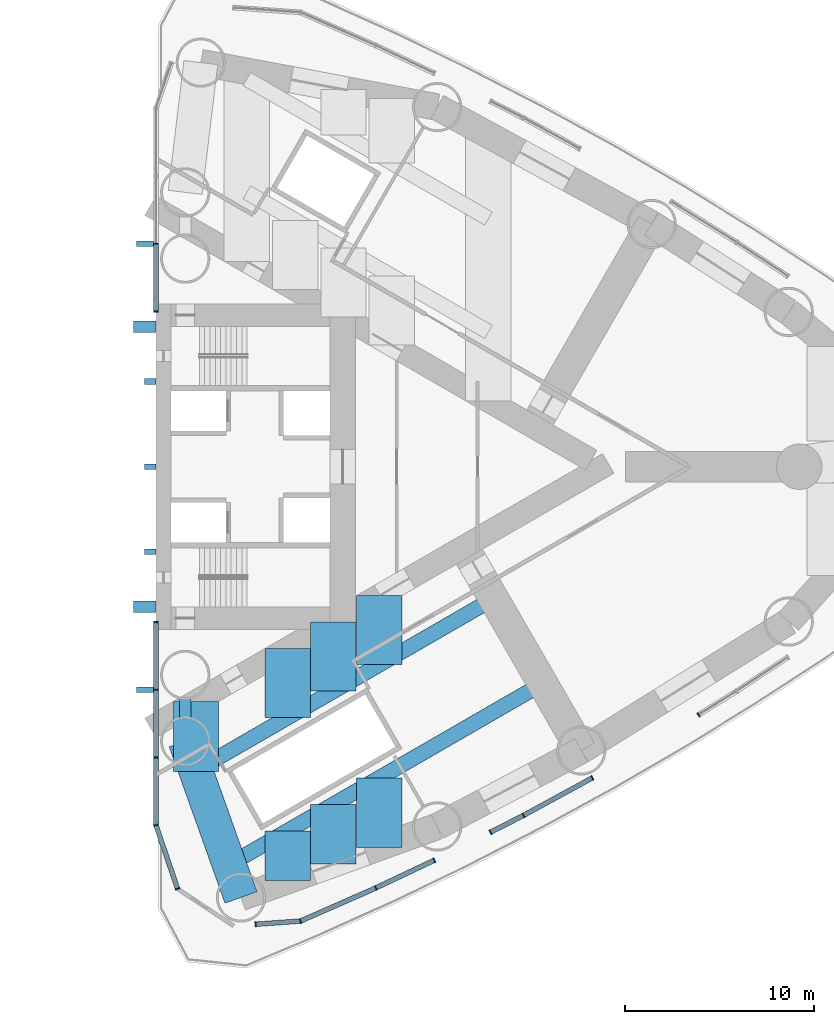
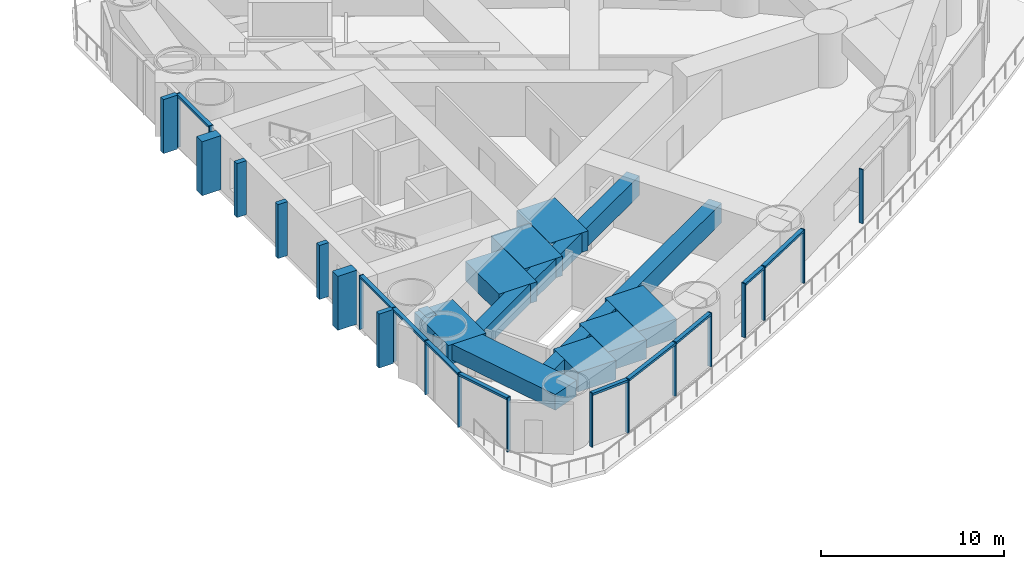
# One storey, part 5 of 19: 32 members, 11 beams, 5 elements without a shape of their own.
"""IFC4 building model written with IfcOpenShell, lengths in metres."""

import ifcopenshell
import ifcopenshell.guid

model = None  # the IFC model being written
_history = None  # IfcOwnerHistory: only IFC2X3 demands one
_inside = {}  # id of a spatial element -> (the spatial element, [elements in it])
_under = {}  # id of a project, library or spatial element -> (it, [spatial elements below it])
_declared = {}  # id of a project -> (the project, [libraries it declares])
_typed = {}  # id of a type object -> (the type object, [elements of that type])
_made_of = {}  # id of a material, layer set ... -> (it, [elements and type objects made of it])


def new_model(schema):
    """Start an empty IFC model of exactly this schema.

    Asked for "IFC4X3", IfcOpenShell would pick the latest addendum, in which some entities
    have other attributes; the version numbers below select the first issue.
    IFC2X3 requires an IfcOwnerHistory on every rooted entity: one is made here for all.
    """
    global model, _history
    if schema == "IFC4X3":
        model = ifcopenshell.file(schema_version=(4, 3, 0, 0))
    else:
        model = ifcopenshell.file(schema=schema)
    _inside.clear()
    _under.clear()
    _declared.clear()
    _typed.clear()
    _made_of.clear()
    _history = None
    if model.schema == "IFC2X3":
        org = make("IfcOrganization", Name="unknown")
        user = make(
            "IfcPersonAndOrganization",
            ThePerson=make("IfcPerson", FamilyName="unknown"),
            TheOrganization=org,
        )
        app = make(
            "IfcApplication",
            ApplicationDeveloper=org,
            Version="unknown",
            ApplicationFullName="unknown",
            ApplicationIdentifier="unknown",
        )
        _history = make(
            "IfcOwnerHistory",
            OwningUser=user,
            OwningApplication=app,
            ChangeAction="ADDED",
            CreationDate=0,
        )
    return model


def make(cls, **values):
    """One entity of the class cls with the attributes given. An attribute that is None is left unset."""
    return model.create_entity(
        cls, **{name: value for name, value in values.items() if value is not None}
    )


def rooted(cls, **values):
    """An entity with a GlobalId (a new one), such as an element, a storey or a relation."""
    return make(cls, GlobalId=ifcopenshell.guid.new(), OwnerHistory=_history, **values)


def si_unit(unit_type, name, prefix=None):
    """IfcSIUnit, for example si_unit("LENGTHUNIT", "METRE", prefix="MILLI")."""
    return make("IfcSIUnit", UnitType=unit_type, Prefix=prefix, Name=name)


def assignment(units):
    """IfcUnitAssignment: the units of a project."""
    return None if units is None else make("IfcUnitAssignment", Units=units)


def point(xyz):
    """IfcCartesianPoint."""
    return None if xyz is None else make("IfcCartesianPoint", Coordinates=xyz)


def direction(xyz):
    """IfcDirection."""
    return None if xyz is None else make("IfcDirection", DirectionRatios=xyz)


def frame(location, z_axis=None, x_axis=None):
    """IfcAxis2Placement3D, a coordinate frame: its origin and axes. An axis left out is left unset."""
    return make(
        "IfcAxis2Placement3D",
        Location=point(location),
        Axis=direction(z_axis),
        RefDirection=direction(x_axis),
    )


def frame_2d(location, x_axis=None):
    """IfcAxis2Placement2D, a coordinate frame in the plane: its origin and x axis."""
    return make(
        "IfcAxis2Placement2D", Location=point(location), RefDirection=direction(x_axis)
    )


def origin():
    """The frame at (0, 0, 0) with its axes left unset."""
    return frame((0.0, 0.0, 0.0))


def origin_2d():
    """The frame at (0, 0) in the plane with its x axis left unset."""
    return frame_2d((0.0, 0.0))


def place(relative_to, where):
    """IfcLocalPlacement: puts the frame where relative to a parent placement (None: the world)."""
    return make(
        "IfcLocalPlacement", PlacementRelTo=relative_to, RelativePlacement=where
    )


def context(
    kind, dimensions, precision=None, world=None, true_north=None, identifier=None
):
    """IfcGeometricRepresentationContext, for example the 3D "Model" context."""
    return make(
        "IfcGeometricRepresentationContext",
        ContextIdentifier=identifier,
        ContextType=kind,
        CoordinateSpaceDimension=dimensions,
        Precision=precision,
        WorldCoordinateSystem=world,
        TrueNorth=true_north,
    )


def subcontext(parent, identifier, kind, view, scale=None):
    """IfcGeometricRepresentationSubContext, for example "Body" below "Model"."""
    return make(
        "IfcGeometricRepresentationSubContext",
        ContextIdentifier=identifier,
        ContextType=kind,
        ParentContext=parent,
        TargetScale=scale,
        TargetView=view,
    )


def project(units=None, contexts=None):
    """IfcProject with its units and contexts."""
    return rooted(
        "IfcProject",
        Name="project",
        RepresentationContexts=contexts,
        UnitsInContext=assignment(units),
    )


def spatial(cls, under=None, at=None, **own):
    """A site, building, storey or space (cls), placed at a placement, below another one or the project."""
    s = rooted(cls, ObjectPlacement=at, **own)
    if under is not None:
        _under.setdefault(under.id(), (under, []))[1].append(s)
    return s


def profile(cls, at=None, kind="AREA", **sizes):
    """A parametric profile (cls). Its sizes go by their IFC names, for example OverallWidth=200.0."""
    return make(cls, ProfileType=kind, Position=at, **sizes)


def rectangle(**sizes):
    """IfcRectangleProfileDef."""
    return profile("IfcRectangleProfileDef", **sizes)


def hollow_rectangle(**sizes):
    """IfcRectangleHollowProfileDef."""
    return profile("IfcRectangleHollowProfileDef", **sizes)


def extrude(swept, where, along, depth):
    """IfcExtrudedAreaSolid: the profile swept, set in the frame where, extruded along a direction by depth."""
    return make(
        "IfcExtrudedAreaSolid",
        SweptArea=swept,
        Position=where,
        ExtrudedDirection=direction(along),
        Depth=depth,
    )


def shape(context_of_items, identifier, shape_type, items):
    """IfcShapeRepresentation: the items that make up one representation, for example the "Body"."""
    return make(
        "IfcShapeRepresentation",
        ContextOfItems=context_of_items,
        RepresentationIdentifier=identifier,
        RepresentationType=shape_type,
        Items=items,
    )


def material(Name=None, Category=None):
    """IfcMaterial."""
    return make("IfcMaterial", Name=Name, Category=Category)


def material_profile(
    of_material, cross_section, Name=None, Category=None, Priority=None
):
    """IfcMaterialProfile: a cross section and its material."""
    return make(
        "IfcMaterialProfile",
        Name=Name,
        Material=of_material,
        Profile=cross_section,
        Priority=Priority,
        Category=Category,
    )


def profile_set(profiles, Name=None, composite=None):
    """IfcMaterialProfileSet."""
    return make(
        "IfcMaterialProfileSet",
        Name=Name,
        MaterialProfiles=profiles,
        CompositeProfile=composite,
    )


def made_of(thing, what):
    """Note that an element or type object is made of a material, layer set ...; save() writes the relation."""
    if what is not None:
        _made_of.setdefault(what.id(), (what, []))[1].append(thing)
    return thing


def type_object(cls, material=None, **own):
    """A type object (cls), such as IfcWallType, which elements share."""
    return made_of(rooted(cls, **own), material)


def element(
    cls,
    number,
    at=None,
    inside=None,
    cuts=None,
    type_object=None,
    material=None,
    context=None,
    identifier="Body",
    shape_type=None,
    held_by="IfcProductDefinitionShape",
    body=None,
    shapes=None,
    **own,
):
    """One element of the class cls, such as IfcWall. Its Tag is "e" and its number.

    at: its placement. inside: the storey or other place that contains it. cuts: it is an
    opening in that element (IfcRelVoidsElement). A single representation is given by context,
    identifier, shape_type and body (its items); several are given by shapes. held_by: the class
    of the entity that holds the representations. save() writes the other relations.
    """
    e = rooted(cls, Tag="e%d" % number, ObjectPlacement=at, **own)
    if body is not None:
        shapes = [shape(context, identifier, shape_type, body)]
    if shapes is not None:
        e.Representation = make(held_by, Representations=shapes)
    if inside is not None:
        _inside.setdefault(inside.id(), (inside, []))[1].append(e)
    if cuts is not None:
        rooted(
            "IfcRelVoidsElement", RelatingBuildingElement=cuts, RelatedOpeningElement=e
        )
    if type_object is not None:
        _typed.setdefault(type_object.id(), (type_object, []))[1].append(e)
    return made_of(e, material)


def aggregate(whole, parts):
    """IfcRelAggregates: a whole, such as a stair, and the parts it consists of."""
    return rooted("IfcRelAggregates", RelatingObject=whole, RelatedObjects=parts)


def save(model, path):
    """Write the relations noted so far, then the file.

    IfcRelAggregates (storeys below a building ...), IfcRelContainedInSpatialStructure (elements
    in a storey), IfcRelDefinesByType, IfcRelAssociatesMaterial and IfcRelDeclares: one each for
    every whole, place, type object, material and project.
    """
    for whole, parts in _under.values():
        aggregate(whole, parts)
    for where, things in _inside.values():
        rooted(
            "IfcRelContainedInSpatialStructure",
            RelatedElements=things,
            RelatingStructure=where,
        )
    for kind, things in _typed.values():
        rooted("IfcRelDefinesByType", RelatedObjects=things, RelatingType=kind)
    for what, things in _made_of.values():
        rooted("IfcRelAssociatesMaterial", RelatedObjects=things, RelatingMaterial=what)
    for by, libraries in _declared.values():
        rooted("IfcRelDeclares", RelatingContext=by, RelatedDefinitions=libraries)
    model.write(path)


model = new_model("IFC4")

# Units and contexts
model_context = context("Model", 3, precision=1e-05, world=origin(), true_north=direction((0.0, 1.0)))
body_context = subcontext(model_context, "Body", "Model", "MODEL_VIEW")
ifc_project = project(units=[si_unit("LENGTHUNIT", "METRE"), si_unit("AREAUNIT", "SQUARE_METRE"), si_unit("VOLUMEUNIT", "CUBIC_METRE"), si_unit("PLANEANGLEUNIT", "RADIAN"), si_unit("MASSUNIT", "GRAM", prefix="KILO")], contexts=[model_context])

# Site, building, storey
site_placement = place(None, origin())
site = spatial("IfcSite", under=ifc_project, at=site_placement, CompositionType="ELEMENT")
building_placement = place(site_placement, origin())
building = spatial("IfcBuilding", under=site, at=building_placement, Name="Lancet Gate Hotel", CompositionType="ELEMENT")
storey_placement = place(building_placement, frame((0.0, 0.0, 87.0)))
storey = spatial("IfcBuildingStorey", under=building, at=storey_placement, Name="L22", CompositionType="ELEMENT", Elevation=87.0)

# Curtain wall, members
ifc_material_1 = material(Name="Aluminium curtain wall", Category="aluminium")
curtain_wall_type = type_object("IfcCurtainWallType", Name="Tower unitised curtain wall", PredefinedType="USERDEFINED", material=ifc_material_1)
curtain_wall_1_placement = place(storey_placement, origin())
curtain_wall_1 = element("IfcCurtainWall", 1, at=curtain_wall_1_placement, inside=storey, type_object=curtain_wall_type, Name="T2 L22 curtain wall 1", ObjectType="UNITISED CURTAIN WALL", PredefinedType="USERDEFINED")
ifc_material_2 = material(Name="Aluminium mullion", Category="aluminium")
ifc_material_profile_1 = material_profile(ifc_material_2, rectangle(XDim=0.06494140625, YDim=0.25, at=origin_2d()), Name="MULLION 65x250")
ifc_profile_set_1 = profile_set([ifc_material_profile_1], Name="Aluminium mullion")
member_type_1 = type_object("IfcMemberType", Name="Aluminium mullion 65x250", PredefinedType="MULLION", material=ifc_profile_set_1)
member_1_placement = place(storey_placement, frame((27.5, -8.199951171875, 0.0), z_axis=(0.0, 0.0, 1.0), x_axis=(0.0, -1.0, 0.0)))
member_1 = element("IfcMember", 2, at=member_1_placement, type_object=member_type_1, Name="T2 L22 curtain wall 1 mullion 1", PredefinedType="MULLION", context=body_context, shape_type="SweptSolid", body=[
    extrude(rectangle(XDim=0.06494140625, YDim=0.25, at=origin_2d()), origin(), (0.0, 0.0, 1.0), 3.60009765625),
])
member_2_placement = place(storey_placement, frame((27.5, -11.781005859375, 0.0), z_axis=(0.0, 0.0, 1.0), x_axis=(0.0, -1.0, 0.0)))
member_2 = element("IfcMember", 3, at=member_2_placement, type_object=member_type_1, Name="T2 L22 curtain wall 1 mullion 2", PredefinedType="MULLION", context=body_context, shape_type="SweptSolid", body=[
    extrude(rectangle(XDim=0.06494140625, YDim=0.25, at=origin_2d()), origin(), (0.0, 0.0, 1.0), 3.60009765625),
])
member_3_placement = place(storey_placement, frame((27.5, -15.362060546875, 0.0), z_axis=(0.0, 0.0, 1.0), x_axis=(0.0, -1.0, 0.0)))
member_3 = element("IfcMember", 4, at=member_3_placement, type_object=member_type_1, Name="T2 L22 curtain wall 1 mullion 3", PredefinedType="MULLION", context=body_context, shape_type="SweptSolid", body=[
    extrude(rectangle(XDim=0.06494140625, YDim=0.25, at=origin_2d()), origin(), (0.0, 0.0, 1.0), 3.60009765625),
])
member_4_placement = place(storey_placement, frame((27.5, -18.94287109375, 0.0), z_axis=(0.0, 0.0, 1.0), x_axis=(0.162738742557, -0.986669195663, 0.0)))
member_4 = element("IfcMember", 5, at=member_4_placement, type_object=member_type_1, Name="T2 L22 curtain wall 1 mullion 4", PredefinedType="MULLION", context=body_context, shape_type="SweptSolid", body=[
    extrude(rectangle(XDim=0.06494140625, YDim=0.25, at=origin_2d()), origin(), (0.0, 0.0, 1.0), 3.60009765625),
])
member_5_placement = place(storey_placement, frame((28.64453125, -22.301513671875, 0.0), z_axis=(0.0, 0.0, 1.0), x_axis=(0.32257568891, -0.946543673015, 0.0)))
member_5 = element("IfcMember", 6, at=member_5_placement, type_object=member_type_1, Name="T2 L22 curtain wall 1 mullion 5", PredefinedType="MULLION", context=body_context, shape_type="SweptSolid", body=[
    extrude(rectangle(XDim=0.06494140625, YDim=0.25, at=origin_2d()), origin(), (0.0, 0.0, 1.0), 3.60009765625),
])

curtain_wall_2_placement = place(storey_placement, origin())
curtain_wall_2 = element("IfcCurtainWall", 7, at=curtain_wall_2_placement, inside=storey, type_object=curtain_wall_type, Name="T2 L22 curtain wall 2", ObjectType="UNITISED CURTAIN WALL", PredefinedType="USERDEFINED")
member_6_placement = place(storey_placement, frame((32.773681640625, -24.178466796875, 0.0), z_axis=(0.0, 0.0, 1.0), x_axis=(0.997448492935, 0.07138980278, 0.0)))
member_6 = element("IfcMember", 8, at=member_6_placement, type_object=member_type_1, Name="T2 L22 curtain wall 2 mullion 1", PredefinedType="MULLION", context=body_context, shape_type="SweptSolid", body=[
    extrude(rectangle(XDim=0.06494140625, YDim=0.25, at=origin_2d()), origin(), (0.0, 0.0, 1.0), 3.60009765625),
])
member_7_placement = place(storey_placement, frame((35.141357421875, -24.009033203125, 0.0), z_axis=(0.0, 0.0, 1.0), x_axis=(0.957224377343, 0.289346663054, 0.0)))
member_7 = element("IfcMember", 9, at=member_7_placement, type_object=member_type_1, Name="T2 L22 curtain wall 2 mullion 2", PredefinedType="MULLION", context=body_context, shape_type="SweptSolid", body=[
    extrude(rectangle(XDim=0.06494140625, YDim=0.25, at=origin_2d()), origin(), (0.0, 0.0, 1.0), 3.60009765625),
])
member_8_placement = place(storey_placement, frame((39.12109375, -22.259765625, 0.0), z_axis=(0.0, 0.0, 1.0), x_axis=(0.910379263494, 0.413774813878, 0.0)))
member_8 = element("IfcMember", 10, at=member_8_placement, type_object=member_type_1, Name="T2 L22 curtain wall 2 mullion 3", PredefinedType="MULLION", context=body_context, shape_type="SweptSolid", body=[
    extrude(rectangle(XDim=0.06494140625, YDim=0.25, at=origin_2d()), origin(), (0.0, 0.0, 1.0), 3.60009765625),
])
member_9_placement = place(storey_placement, frame((42.2080078125, -20.797119140625, 0.0), z_axis=(0.0, 0.0, 1.0), x_axis=(0.903683440096, 0.428201167789, 0.0)))
member_9 = element("IfcMember", 11, at=member_9_placement, type_object=member_type_1, Name="T2 L22 curtain wall 2 mullion 4", PredefinedType="MULLION", context=body_context, shape_type="SweptSolid", body=[
    extrude(rectangle(XDim=0.06494140625, YDim=0.25, at=origin_2d()), origin(), (0.0, 0.0, 1.0), 3.60009765625),
])

curtain_wall_3_placement = place(storey_placement, origin())
curtain_wall_3 = element("IfcCurtainWall", 12, at=curtain_wall_3_placement, inside=storey, type_object=curtain_wall_type, Name="T2 L22 curtain wall 3", ObjectType="UNITISED CURTAIN WALL", PredefinedType="USERDEFINED")
member_10_placement = place(storey_placement, frame((45.18310546875, -19.312255859375, 0.0), z_axis=(0.0, 0.0, 1.0), x_axis=(0.891159350462, 0.453690436403, 0.0)))
member_10 = element("IfcMember", 13, at=member_10_placement, type_object=member_type_1, Name="T2 L22 curtain wall 3 mullion 1", PredefinedType="MULLION", context=body_context, shape_type="SweptSolid", body=[
    extrude(rectangle(XDim=0.06494140625, YDim=0.25, at=origin_2d()), origin(), (0.0, 0.0, 1.0), 3.60009765625),
])
member_11_placement = place(storey_placement, frame((46.923828125, -18.426025390625, 0.0), z_axis=(0.0, 0.0, 1.0), x_axis=(0.882236551655, 0.470806400683, 0.0)))
member_11 = element("IfcMember", 14, at=member_11_placement, type_object=member_type_1, Name="T2 L22 curtain wall 3 mullion 2", PredefinedType="MULLION", context=body_context, shape_type="SweptSolid", body=[
    extrude(rectangle(XDim=0.06494140625, YDim=0.25, at=origin_2d()), origin(), (0.0, 0.0, 1.0), 3.60009765625),
])
member_12_placement = place(storey_placement, frame((50.56201171875, -16.441650390625, 0.0), z_axis=(0.0, 0.0, 1.0), x_axis=(0.877916491224, 0.478813778454, 0.0)))
member_12 = element("IfcMember", 15, at=member_12_placement, type_object=member_type_1, Name="T2 L22 curtain wall 3 mullion 3", PredefinedType="MULLION", context=body_context, shape_type="SweptSolid", body=[
    extrude(rectangle(XDim=0.06494140625, YDim=0.25, at=origin_2d()), origin(), (0.0, 0.0, 1.0), 3.60009765625),
])

# Curtain wall, member
curtain_wall_4_placement = place(storey_placement, origin())
curtain_wall_4 = element("IfcCurtainWall", 16, at=curtain_wall_4_placement, inside=storey, type_object=curtain_wall_type, Name="T2 L22 curtain wall 4", ObjectType="UNITISED CURTAIN WALL", PredefinedType="USERDEFINED")
member_13_placement = place(storey_placement, frame((56.1767578125, -13.11083984375, 0.0), z_axis=(0.0, 0.0, 1.0), x_axis=(0.849317759497, 0.527881940781, 0.0)))
member_13 = element("IfcMember", 17, at=member_13_placement, type_object=member_type_1, Name="T2 L22 curtain wall 4 mullion 1", PredefinedType="MULLION", context=body_context, shape_type="SweptSolid", body=[
    extrude(rectangle(XDim=0.06494140625, YDim=0.25, at=origin_2d()), origin(), (0.0, 0.0, 1.0), 3.60009765625),
])
aggregate(curtain_wall_4, [member_13])

# Curtain wall, members
curtain_wall_5_placement = place(storey_placement, origin())
curtain_wall_5 = element("IfcCurtainWall", 18, at=curtain_wall_5_placement, inside=storey, type_object=curtain_wall_type, Name="T2 L22 curtain wall 10", ObjectType="UNITISED CURTAIN WALL", PredefinedType="USERDEFINED")
member_14_placement = place(storey_placement, frame((27.5, 11.781005859375, 0.0), z_axis=(0.0, 0.0, 1.0), x_axis=(0.0, -1.0, 0.0)))
member_14 = element("IfcMember", 19, at=member_14_placement, type_object=member_type_1, Name="T2 L22 curtain wall 10 mullion 4", PredefinedType="MULLION", context=body_context, shape_type="SweptSolid", body=[
    extrude(rectangle(XDim=0.06494140625, YDim=0.25, at=origin_2d()), origin(), (0.0, 0.0, 1.0), 3.60009765625),
])
member_15_placement = place(storey_placement, frame((27.5, 8.199951171875, 0.0), z_axis=(0.0, 0.0, 1.0), x_axis=(0.0, -1.0, 0.0)))
member_15 = element("IfcMember", 20, at=member_15_placement, type_object=member_type_1, Name="T2 L22 curtain wall 10 mullion 5", PredefinedType="MULLION", context=body_context, shape_type="SweptSolid", body=[
    extrude(rectangle(XDim=0.06494140625, YDim=0.25, at=origin_2d()), origin(), (0.0, 0.0, 1.0), 3.60009765625),
])

# Member
ifc_material_3 = material(Name="Aluminium transom", Category="aluminium")
ifc_material_profile_2 = material_profile(ifc_material_3, rectangle(XDim=0.25, YDim=0.14990234375, at=origin_2d()), Name="TRANSOM 250x150")
ifc_profile_set_2 = profile_set([ifc_material_profile_2], Name="Aluminium transom")
member_type_2 = type_object("IfcMemberType", Name="Aluminium transom 250x150", PredefinedType="USERDEFINED", material=ifc_profile_set_2)
member_16_placement = place(storey_placement, frame((27.5, -8.232421875, 3.52490234375), z_axis=(0.0, -1.0, 0.0), x_axis=(1.0, 0.0, 0.0)))
member_16 = element("IfcMember", 21, at=member_16_placement, type_object=member_type_2, Name="T2 L22 curtain wall 1 transom 1", ObjectType="TRANSOM", PredefinedType="USERDEFINED", context=body_context, shape_type="SweptSolid", body=[
    extrude(rectangle(XDim=0.25, YDim=0.14990234375, at=origin_2d()), origin(), (0.0, 0.0, 1.0), 3.51611328125),
])

member_17_placement = place(storey_placement, frame((27.5, -11.8134765625, 3.52490234375), z_axis=(0.0, -1.0, 0.0), x_axis=(1.0, 0.0, 0.0)))
member_17 = element("IfcMember", 22, at=member_17_placement, type_object=member_type_2, Name="T2 L22 curtain wall 1 transom 2", ObjectType="TRANSOM", PredefinedType="USERDEFINED", context=body_context, shape_type="SweptSolid", body=[
    extrude(rectangle(XDim=0.25, YDim=0.14990234375, at=origin_2d()), origin(), (0.0, 0.0, 1.0), 3.515869140625),
])

member_18_placement = place(storey_placement, frame((27.5, -15.39453125, 3.52490234375), z_axis=(0.0, -1.0, 0.0), x_axis=(1.0, 0.0, 0.0)))
member_18 = element("IfcMember", 23, at=member_18_placement, type_object=member_type_2, Name="T2 L22 curtain wall 1 transom 3", ObjectType="TRANSOM", PredefinedType="USERDEFINED", context=body_context, shape_type="SweptSolid", body=[
    extrude(rectangle(XDim=0.25, YDim=0.14990234375, at=origin_2d()), origin(), (0.0, 0.0, 1.0), 3.515869140625),
])

member_19_placement = place(storey_placement, frame((27.510498046875, -18.9736328125, 3.52490234375), z_axis=(0.322549769135, -0.946552505903, 0.0), x_axis=(0.946552505903, 0.322549769135, 0.0)))
member_19 = element("IfcMember", 24, at=member_19_placement, type_object=member_type_2, Name="T2 L22 curtain wall 1 transom 4", ObjectType="TRANSOM", PredefinedType="USERDEFINED", context=body_context, shape_type="SweptSolid", body=[
    extrude(rectangle(XDim=0.25, YDim=0.14990234375, at=origin_2d()), origin(), (0.0, 0.0, 1.0), 3.4833984375),
])

member_20_placement = place(storey_placement, frame((32.80615234375, -24.176025390625, 3.52490234375), z_axis=(0.997449028075, 0.071382325483, 0.0), x_axis=(-0.071382325483, 0.997449028075, 0.0)))
member_20 = element("IfcMember", 25, at=member_20_placement, type_object=member_type_2, Name="T2 L22 curtain wall 2 transom 1", ObjectType="TRANSOM", PredefinedType="USERDEFINED", context=body_context, shape_type="SweptSolid", body=[
    extrude(rectangle(XDim=0.25, YDim=0.14990234375, at=origin_2d()), origin(), (0.0, 0.0, 1.0), 2.30859375),
])

member_21_placement = place(storey_placement, frame((35.171142578125, -23.995849609375, 3.52490234375), z_axis=(0.915484772266, 0.402352621155, 0.0), x_axis=(-0.402352621155, 0.915484772266, 0.0)))
member_21 = element("IfcMember", 26, at=member_21_placement, type_object=member_type_2, Name="T2 L22 curtain wall 2 transom 2", ObjectType="TRANSOM", PredefinedType="USERDEFINED", context=body_context, shape_type="SweptSolid", body=[
    extrude(rectangle(XDim=0.25, YDim=0.14990234375, at=origin_2d()), origin(), (0.0, 0.0, 1.0), 4.281982421875),
])

member_22_placement = place(storey_placement, frame((39.150634765625, -22.245849609375, 3.52490234375), z_axis=(0.90367106251, 0.428227288693, 0.0), x_axis=(-0.428227288693, 0.90367106251, 0.0)))
member_22 = element("IfcMember", 27, at=member_22_placement, type_object=member_type_2, Name="T2 L22 curtain wall 2 transom 3", ObjectType="TRANSOM", PredefinedType="USERDEFINED", context=body_context, shape_type="SweptSolid", body=[
    extrude(rectangle(XDim=0.25, YDim=0.14990234375, at=origin_2d()), origin(), (0.0, 0.0, 1.0), 3.3505859375),
])

aggregate(curtain_wall_2, [member_6, member_7, member_8, member_9, member_20, member_21, member_22])

member_23_placement = place(storey_placement, frame((45.212158203125, -19.29736328125, 3.52490234375), z_axis=(0.89117166892, 0.453666239118, 0.0), x_axis=(-0.453666239118, 0.89117166892, 0.0)))
member_23 = element("IfcMember", 28, at=member_23_placement, type_object=member_type_2, Name="T2 L22 curtain wall 3 transom 1", ObjectType="TRANSOM", PredefinedType="USERDEFINED", context=body_context, shape_type="SweptSolid", body=[
    extrude(rectangle(XDim=0.25, YDim=0.14990234375, at=origin_2d()), origin(), (0.0, 0.0, 1.0), 1.888427734375),
])

member_24_placement = place(storey_placement, frame((46.952392578125, -18.410400390625, 3.52490234375), z_axis=(0.877913871073, 0.478818582532, 0.0), x_axis=(-0.478818582532, 0.877913871073, 0.0)))
member_24 = element("IfcMember", 29, at=member_24_placement, type_object=member_type_2, Name="T2 L22 curtain wall 3 transom 2", ObjectType="TRANSOM", PredefinedType="USERDEFINED", context=body_context, shape_type="SweptSolid", body=[
    extrude(rectangle(XDim=0.25, YDim=0.14990234375, at=origin_2d()), origin(), (0.0, 0.0, 1.0), 4.0791015625),
])

aggregate(curtain_wall_3, [member_10, member_11, member_12, member_23, member_24])

member_25_placement = place(storey_placement, frame((27.5, 11.74853515625, 3.52490234375), z_axis=(0.0, -1.0, 0.0), x_axis=(1.0, 0.0, 0.0)))
member_25 = element("IfcMember", 30, at=member_25_placement, type_object=member_type_2, Name="T2 L22 curtain wall 10 transom 4", ObjectType="TRANSOM", PredefinedType="USERDEFINED", context=body_context, shape_type="SweptSolid", body=[
    extrude(rectangle(XDim=0.25, YDim=0.14990234375, at=origin_2d()), origin(), (0.0, 0.0, 1.0), 3.51611328125),
])

# Beam
ifc_material_4 = material(Name="Concrete C50/60", Category="concrete")
ifc_material_profile_3 = material_profile(ifc_material_4, rectangle(XDim=1.800048828125, YDim=1.050048828125, at=origin_2d()), Name="RC 1800x1050")
ifc_profile_set_3 = profile_set([ifc_material_profile_3], Name="Concrete C50/60")
beam_type_1 = type_object("IfcBeamType", Name="Edge beam RC 1800x1050", PredefinedType="SPANDREL", material=ifc_profile_set_3)
beam_1_placement = place(storey_placement, frame((31.99609375, -22.76318359375, 2.824951171875), z_axis=(-0.335821559388, 0.941925623523, 0.0), x_axis=(-0.941925623523, -0.335821559388, 0.0)))
element("IfcBeam", 31, at=beam_1_placement, inside=storey, type_object=beam_type_1, Name="T2 edge beam EB1 L22", PredefinedType="SPANDREL", context=body_context, shape_type="SweptSolid", body=[
    extrude(rectangle(XDim=1.800048828125, YDim=1.050048828125, at=origin_2d()), origin(), (0.0, 0.0, 1.0), 8.772705078125),
])

# Members
ifc_material_5 = material(Name="Concrete C60/75", Category="concrete")
ifc_material_profile_4 = material_profile(ifc_material_5, rectangle(XDim=0.60009765625, YDim=1.199951171875, at=origin_2d()), Name="FIN 600x1200")
ifc_profile_set_4 = profile_set([ifc_material_profile_4], Name="Concrete C60/75")
member_type_3 = type_object("IfcMemberType", Name="Exposed concrete buttress pilaster 600x1200", PredefinedType="USERDEFINED", material=ifc_profile_set_4)
for number, where, z_axis, x_axis, name in (
    (32, (26.909912109375, -7.39990234375, 0.0), (0.0, 0.0, 1.0), (0.0, 1.0, 0.0), "T2 buttress pilaster S L22"),
    (33, (26.909912109375, 7.39990234375, 0.0), (0.0, 0.0, 1.0), (0.0, 1.0, 0.0), "T2 buttress pilaster N L22"),
):
    element("IfcMember", number, at=place(storey_placement, frame(where, z_axis=z_axis, x_axis=x_axis)), inside=storey, type_object=member_type_3, Name=name, ObjectType="FIN", PredefinedType="USERDEFINED", context=body_context, shape_type="SweptSolid", body=[
        extrude(rectangle(XDim=0.60009765625, YDim=1.199951171875, at=origin_2d()), origin(), (0.0, 0.0, 1.0), 3.60009765625),
    ])

# Member
ifc_material_6 = material(Name="Precast concrete C50/60", Category="concrete")
ifc_material_profile_5 = material_profile(ifc_material_6, rectangle(XDim=0.300048828125, YDim=0.89990234375, at=origin_2d()), Name="FIN 300x900")
ifc_profile_set_5 = profile_set([ifc_material_profile_5], Name="Precast concrete C50/60")
member_type_4 = type_object("IfcMemberType", Name="Exposed concrete fin 300x900", PredefinedType="USERDEFINED", material=ifc_profile_set_5)
member_26_placement = place(storey_placement, frame((26.925048828125, -11.781005859375, 0.0), z_axis=(0.0, 0.0, 1.0), x_axis=(0.0, -1.0, 0.0)))
member_26 = element("IfcMember", 34, at=member_26_placement, type_object=member_type_4, Name="T2 L22 curtain wall 1 fin 2", ObjectType="FIN", PredefinedType="USERDEFINED", context=body_context, shape_type="SweptSolid", body=[
    extrude(rectangle(XDim=0.300048828125, YDim=0.89990234375, at=origin_2d()), origin(), (0.0, 0.0, 1.0), 3.60009765625),
])

aggregate(curtain_wall_1, [member_1, member_2, member_26, member_3, member_4, member_5, member_16, member_17, member_18, member_19])

member_27_placement = place(storey_placement, frame((26.925048828125, 11.781005859375, 0.0), z_axis=(0.0, 0.0, 1.0), x_axis=(0.0, -1.0, 0.0)))
member_27 = element("IfcMember", 35, at=member_27_placement, type_object=member_type_4, Name="T2 L22 curtain wall 10 fin 4", ObjectType="FIN", PredefinedType="USERDEFINED", context=body_context, shape_type="SweptSolid", body=[
    extrude(rectangle(XDim=0.300048828125, YDim=0.89990234375, at=origin_2d()), origin(), (0.0, 0.0, 1.0), 3.60009765625),
])

aggregate(curtain_wall_5, [member_14, member_27, member_15, member_25])

# Members
ifc_material_7 = material(Name="Concrete C60/75", Category="concrete")
ifc_material_profile_6 = material_profile(ifc_material_7, rectangle(XDim=0.300048828125, YDim=0.60009765625, at=origin_2d()), Name="FIN 300x600")
ifc_profile_set_6 = profile_set([ifc_material_profile_6], Name="Concrete C60/75")
member_type_5 = type_object("IfcMemberType", Name="Exposed concrete rib 300x600", PredefinedType="USERDEFINED", material=ifc_profile_set_6)
for number, where, z_axis, x_axis, name in (
    (36, (27.2099609375, -4.5, 0.0), (0.0, 0.0, 1.0), (0.0, 1.0, 0.0), "T2 core rib 1 L22"),
    (37, (27.2099609375, 0.0, 0.0), (0.0, 0.0, 1.0), (0.0, 1.0, 0.0), "T2 core rib 2 L22"),
    (38, (27.2099609375, 4.5, 0.0), (0.0, 0.0, 1.0), (0.0, 1.0, 0.0), "T2 core rib 3 L22"),
):
    element("IfcMember", number, at=place(storey_placement, frame(where, z_axis=z_axis, x_axis=x_axis)), inside=storey, type_object=member_type_5, Name=name, ObjectType="FIN", PredefinedType="USERDEFINED", context=body_context, shape_type="SweptSolid", body=[
        extrude(rectangle(XDim=0.300048828125, YDim=0.60009765625, at=origin_2d()), origin(), (0.0, 0.0, 1.0), 3.60009765625),
    ])

# Beams
ifc_material_8 = material(Name="Concrete C50/60", Category="concrete")
ifc_material_profile_7 = material_profile(ifc_material_8, rectangle(XDim=2.39990234375, YDim=1.300048828125, at=origin_2d()), Name="RC 2400x1300")
ifc_profile_set_7 = profile_set([ifc_material_profile_7], Name="Concrete C50/60")
beam_type_2 = type_object("IfcBeamType", Name="Floor beam RC 2400x1300", PredefinedType="BEAM", material=ifc_profile_set_7)
beam_2_placement = place(storey_placement, frame((29.6201171875, -16.099365234375, 2.699951171875), z_axis=(0.0, 1.0, 0.0), x_axis=(-1.0, 0.0, 0.0)))
element("IfcBeam", 39, at=beam_2_placement, inside=storey, type_object=beam_type_2, Name="T2 floor beam F01S L22", PredefinedType="BEAM", context=body_context, shape_type="SweptSolid", body=[
    extrude(rectangle(XDim=2.39990234375, YDim=1.300048828125, at=origin_2d()), origin(), (0.0, 0.0, 1.0), 3.69677734375),
])
beam_3_placement = place(storey_placement, frame((34.460693359375, -21.87060546875, 2.699951171875), z_axis=(0.0, 1.0, 0.0), x_axis=(-1.0, 0.0, 0.0)))
element("IfcBeam", 40, at=beam_3_placement, inside=storey, type_object=beam_type_2, Name="T2 floor beam F03SA L22", PredefinedType="BEAM", context=body_context, shape_type="SweptSolid", body=[
    extrude(rectangle(XDim=2.39990234375, YDim=1.300048828125, at=origin_2d()), origin(), (0.0, 0.0, 1.0), 2.62939453125),
])
beam_4_placement = place(storey_placement, frame((34.460693359375, -13.253662109375, 2.699951171875), z_axis=(0.0, 1.0, 0.0), x_axis=(-1.0, 0.0, 0.0)))
element("IfcBeam", 41, at=beam_4_placement, inside=storey, type_object=beam_type_2, Name="T2 floor beam F03SB L22", PredefinedType="BEAM", context=body_context, shape_type="SweptSolid", body=[
    extrude(rectangle(XDim=2.39990234375, YDim=1.300048828125, at=origin_2d()), origin(), (0.0, 0.0, 1.0), 3.645751953125),
])
beam_5_placement = place(storey_placement, frame((36.880859375, -20.993896484375, 2.699951171875), z_axis=(0.0, 1.0, 0.0), x_axis=(-1.0, 0.0, 0.0)))
element("IfcBeam", 42, at=beam_5_placement, inside=storey, type_object=beam_type_2, Name="T2 floor beam F05SA L22", PredefinedType="BEAM", context=body_context, shape_type="SweptSolid", body=[
    extrude(rectangle(XDim=2.39990234375, YDim=1.300048828125, at=origin_2d()), origin(), (0.0, 0.0, 1.0), 3.150146484375),
])
beam_6_placement = place(storey_placement, frame((36.880859375, -11.8564453125, 2.699951171875), z_axis=(0.0, 1.0, 0.0), x_axis=(-1.0, 0.0, 0.0)))
element("IfcBeam", 43, at=beam_6_placement, inside=storey, type_object=beam_type_2, Name="T2 floor beam F05SB L22", PredefinedType="BEAM", context=body_context, shape_type="SweptSolid", body=[
    extrude(rectangle(XDim=2.39990234375, YDim=1.300048828125, at=origin_2d()), origin(), (0.0, 0.0, 1.0), 3.645751953125),
])
beam_7_placement = place(storey_placement, frame((39.301025390625, -20.1171875, 2.699951171875), z_axis=(0.0, 1.0, 0.0), x_axis=(-1.0, 0.0, 0.0)))
element("IfcBeam", 44, at=beam_7_placement, inside=storey, type_object=beam_type_2, Name="T2 floor beam F07SA L22", PredefinedType="BEAM", context=body_context, shape_type="SweptSolid", body=[
    extrude(rectangle(XDim=2.39990234375, YDim=1.300048828125, at=origin_2d()), origin(), (0.0, 0.0, 1.0), 3.670654296875),
])
beam_8_placement = place(storey_placement, frame((39.301025390625, -10.458984375, 2.699951171875), z_axis=(0.0, 1.0, 0.0), x_axis=(-1.0, 0.0, 0.0)))
element("IfcBeam", 45, at=beam_8_placement, inside=storey, type_object=beam_type_2, Name="T2 floor beam F07SB L22", PredefinedType="BEAM", context=body_context, shape_type="SweptSolid", body=[
    extrude(rectangle(XDim=2.39990234375, YDim=1.300048828125, at=origin_2d()), origin(), (0.0, 0.0, 1.0), 3.6455078125),
])
ifc_material_9 = material(Name="Steel S460QL", Category="steel")
ifc_material_profile_8 = material_profile(ifc_material_9, hollow_rectangle(XDim=0.60009765625, YDim=1.5, WallThickness=0.050048828125, at=origin_2d()), Name="BOX 1500x600x50")
ifc_profile_set_8 = profile_set([ifc_material_profile_8], Name="Steel S460QL")
beam_type_3 = type_object("IfcBeamType", Name="Inner-face link beam BOX 1500x600x50", PredefinedType="BEAM", material=ifc_profile_set_8)
beam_9_placement = place(storey_placement, frame((29.050048828125, -13.25, 2.60009765625), z_axis=(0.0, 1.0, 0.0), x_axis=(-1.0, 0.0, 0.0)))
element("IfcBeam", 46, at=beam_9_placement, inside=storey, type_object=beam_type_3, Name="T2 inner-face link beam LK1 L22", PredefinedType="BEAM", context=body_context, shape_type="SweptSolid", body=[
    extrude(hollow_rectangle(XDim=0.60009765625, YDim=1.5, WallThickness=0.050048828125, at=origin_2d()), origin(), (0.0, 0.0, 1.0), 1.0),
])
ifc_material_10 = material(Name="Steel S460QL", Category="steel")
ifc_material_profile_9 = material_profile(ifc_material_10, hollow_rectangle(XDim=0.800048828125, YDim=1.300048828125, WallThickness=0.080078125, at=origin_2d()), Name="BOX 1300x800x80")
ifc_profile_set_9 = profile_set([ifc_material_profile_9], Name="Steel S460QL")
beam_type_4 = type_object("IfcBeamType", Name="Trimmer beam BOX 1300x800x80", PredefinedType="BEAM", material=ifc_profile_set_9)
beam_10_placement = place(storey_placement, frame((29.6201171875, -16.048095703125, 2.699951171875), z_axis=(0.866036249097, 0.499981214897, 0.0), x_axis=(-0.499981214897, 0.866036249097, 0.0)))
element("IfcBeam", 47, at=beam_10_placement, inside=storey, type_object=beam_type_4, Name="T2 trimmer beam TR01S L22", PredefinedType="BEAM", context=body_context, shape_type="SweptSolid", body=[
    extrude(hollow_rectangle(XDim=0.800048828125, YDim=1.300048828125, WallThickness=0.080078125, at=origin_2d()), origin(), (0.0, 0.0, 1.0), 18.158447265625),
])
beam_11_placement = place(storey_placement, frame((31.375244140625, -21.0224609375, 2.699951171875), z_axis=(0.866031894735, 0.499988757175, 0.0), x_axis=(-0.499988757175, 0.866031894735, 0.0)))
element("IfcBeam", 48, at=beam_11_placement, inside=storey, type_object=beam_type_4, Name="T2 trimmer beam TR02S L22", PredefinedType="BEAM", context=body_context, shape_type="SweptSolid", body=[
    extrude(hollow_rectangle(XDim=0.800048828125, YDim=1.300048828125, WallThickness=0.080078125, at=origin_2d()), origin(), (0.0, 0.0, 1.0), 19.12548828125),
])

save(model, "model.ifc")
